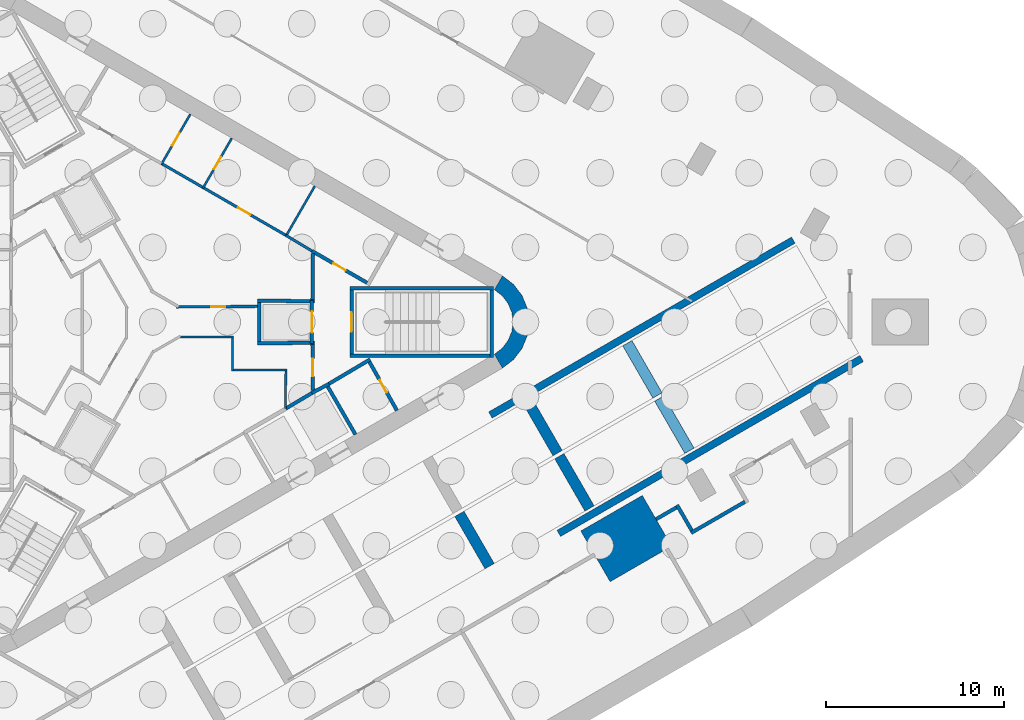
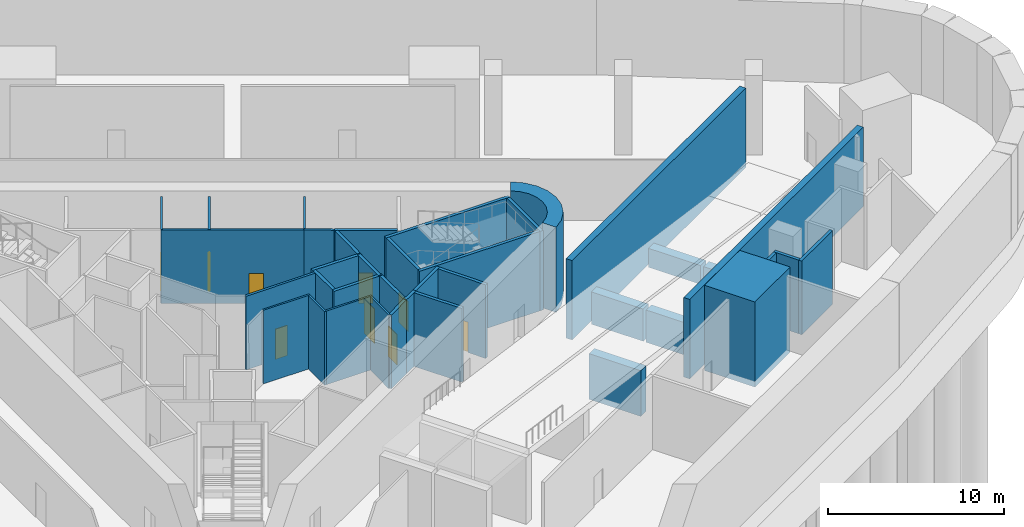
# One storey, part 7 of 13: 38 walls, 9 doors, 9 openings.
"""IFC4 building model written with IfcOpenShell, lengths in metres."""

from ifc_helpers import new_model, si_unit, direction, frame, frame_2d, origin, place, context, subcontext, project, spatial, polyline, rectangle, outline, extrude, material, layer, layer_set, type_object, element, fill, save


model = new_model("IFC4")

# Units and contexts
model_context = context("Model", 3, precision=1e-05, world=origin(), true_north=direction((0.0, 1.0)))
body_context = subcontext(model_context, "Body", "Model", "MODEL_VIEW")
ifc_project = project(units=[si_unit("LENGTHUNIT", "METRE"), si_unit("AREAUNIT", "SQUARE_METRE"), si_unit("VOLUMEUNIT", "CUBIC_METRE"), si_unit("PLANEANGLEUNIT", "RADIAN"), si_unit("MASSUNIT", "GRAM", prefix="KILO")], contexts=[model_context])

# Site, building, storey
site_placement = place(None, origin())
site = spatial("IfcSite", under=ifc_project, at=site_placement, CompositionType="ELEMENT")
building_placement = place(site_placement, origin())
building = spatial("IfcBuilding", under=site, at=building_placement, Name="Tanit Gate Tower", CompositionType="ELEMENT")
storey_placement = place(building_placement, frame((0.0, 0.0, -11.0)))
storey = spatial("IfcBuildingStorey", under=building, at=storey_placement, Name="B2", CompositionType="ELEMENT", Elevation=-11.0)

# Wall
ifc_material_1 = material(Name="Concrete C60/75", Category="concrete")
ifc_layer_1 = layer(ifc_material_1, 0.89990234375)
ifc_layer_set_1 = layer_set([ifc_layer_1], Name="CORE WALL 900 C60/75")
wall_type_1 = type_object("IfcWallType", Name="CORE WALL 900 C60/75", PredefinedType="SHEAR", material=ifc_layer_set_1)
wall_1_placement = place(storey_placement, frame((0.0, 0.0, -0.39990234375)))
element("IfcWall", 1, at=wall_1_placement, inside=storey, type_object=wall_type_1, Name="CORE WALL CORNER", PredefinedType="SHEAR", context=body_context, shape_type="SweptSolid", body=[
    extrude(outline(polyline([(19.699951171875, -2.59814453125), (20.3212890625, -2.121337890625), (20.798095703125, -1.5), (21.097900390625, -0.776611328125), (21.199951171875, 0.0), (21.097900390625, 0.776611328125), (20.798095703125, 1.5), (20.3212890625, 2.121337890625), (19.699951171875, 2.59814453125), (19.25, 1.818603515625), (19.684814453125, 1.48486328125), (20.018798828125, 1.050048828125), (20.228515625, 0.54345703125), (20.300048828125, 0.0), (20.228515625, -0.54345703125), (20.018798828125, -1.050048828125), (19.684814453125, -1.48486328125), (19.25, -1.818603515625), (19.699951171875, -2.59814453125)])), origin(), (0.0, 0.0, 1.0), 5.89990234375),
])

# Wall, opening, door
ifc_material_2 = material(Name="Fire-rated gypsum board partition")
ifc_layer_2 = layer(ifc_material_2, 0.199951171875)
ifc_layer_set_2 = layer_set([ifc_layer_2], Name="INT-WALL-COMPARTMENT")
wall_type_2 = type_object("IfcWallType", Name="INT-WALL-COMPARTMENT", PredefinedType="PARTITIONING", material=ifc_layer_set_2)
wall_2_placement = place(storey_placement, frame((8.97412109375, 3.998779296875, 0.0), z_axis=(0.0, 0.0, 1.0), x_axis=(0.86601284211, -0.500021756827, 0.0)))
wall_2 = element("IfcWall", 2, at=wall_2_placement, inside=storey, type_object=wall_type_2, Name="Wall Compartment W046", PredefinedType="PARTITIONING", context=body_context, shape_type="SweptSolid", body=[
    extrude(rectangle(XDim=3.577392578125, YDim=0.199951171875, at=frame_2d((1.78857421875, 0.0))), origin(), (0.0, 0.0, 1.0), 5.10009765625),
])
opening_1_placement = place(wall_2_placement, frame((1.388916015625, 0.0, 0.0)))
opening_1 = element("IfcOpeningElement", 3, at=opening_1_placement, cuts=wall_2, Name="Opening R08-B2-17", PredefinedType="OPENING", context=body_context, shape_type="SweptSolid", body=[
    extrude(rectangle(XDim=0.800048828125, YDim=2.10009765625, at=frame_2d((0.39990234375, 1.050048828125))), frame((0.0, 0.10986328125, 0.0), z_axis=(0.0, -1.0, 0.0), x_axis=(1.0, 0.0, 0.0)), (0.0, 0.0, 1.0), 0.219970703125),
])
ifc_material_3 = material(Name="Timber door leaf", Category="wood")
door_type_1 = type_object("IfcDoorType", Name="INT-DOOR-RISER-800", OperationType="NOTDEFINED", PredefinedType="USERDEFINED", material=ifc_material_3)
door_1_placement = place(opening_1_placement, origin())
door_1 = element("IfcDoor", 4, at=door_1_placement, inside=storey, type_object=door_type_1, Name="Door R08-B2-17", ObjectType="FIRE DOOR", OperationType="SINGLE_SWING_LEFT", OverallHeight=2.10009765625, OverallWidth=0.800048828125, PredefinedType="USERDEFINED", context=body_context, shape_type="SweptSolid", body=[
    extrude(rectangle(XDim=0.800048828125, YDim=2.10009765625, at=frame_2d((0.39990234375, 1.050048828125))), frame((0.0, 0.02490234375, 0.0), z_axis=(0.0, -1.0, 0.0), x_axis=(1.0, 0.0, 0.0)), (0.0, 0.0, 1.0), 0.050048828125),
])
fill(opening_1, door_1)

# Wall
wall_3_placement = place(storey_placement, frame((12.244873046875, -2.10888671875, 0.0), z_axis=(0.0, 0.0, 1.0), x_axis=(-0.860414880418, -0.509594185166, 0.0)))
element("IfcWall", 5, at=wall_3_placement, inside=storey, type_object=wall_type_2, Name="Wall Compartment W060", PredefinedType="PARTITIONING", context=body_context, shape_type="SweptSolid", body=[
    extrude(rectangle(XDim=2.7001953125, YDim=0.199951171875, at=frame_2d((1.35009765625, 0.0))), origin(), (0.0, 0.0, 1.0), 5.10009765625),
])

# Wall, opening, door
wall_4_placement = place(storey_placement, frame((13.758056640625, -4.989501953125, 0.0), z_axis=(0.0, 0.0, 1.0), x_axis=(-0.491993409184, 0.87059892334, 0.0)))
wall_4 = element("IfcWall", 6, at=wall_4_placement, inside=storey, type_object=wall_type_2, Name="Wall Compartment W061", PredefinedType="PARTITIONING", context=body_context, shape_type="SweptSolid", body=[
    extrude(rectangle(XDim=3.150146484375, YDim=0.199951171875, at=frame_2d((1.5751953125, 0.0))), origin(), (0.0, 0.0, 1.0), 5.10009765625),
])
opening_2_placement = place(wall_4_placement, frame((1.175048828125, 0.0, 0.0)))
opening_2 = element("IfcOpeningElement", 7, at=opening_2_placement, cuts=wall_4, Name="Opening R08-B2-22", PredefinedType="OPENING", context=body_context, shape_type="SweptSolid", body=[
    extrude(rectangle(XDim=0.800048828125, YDim=2.10009765625, at=frame_2d((0.39990234375, 1.050048828125))), frame((0.0, 0.10986328125, 0.0), z_axis=(0.0, -1.0, 0.0), x_axis=(1.0, 0.0, 0.0)), (0.0, 0.0, 1.0), 0.219970703125),
])
door_2_placement = place(opening_2_placement, origin())
door_2 = element("IfcDoor", 8, at=door_2_placement, inside=storey, type_object=door_type_1, Name="Door R08-B2-22", ObjectType="FIRE DOOR", OperationType="SINGLE_SWING_LEFT", OverallHeight=2.10009765625, OverallWidth=0.800048828125, PredefinedType="USERDEFINED", context=body_context, shape_type="SweptSolid", body=[
    extrude(rectangle(XDim=0.800048828125, YDim=2.10009765625, at=frame_2d((0.39990234375, 1.050048828125))), frame((0.0, 0.02490234375, 0.0), z_axis=(0.0, -1.0, 0.0), x_axis=(1.0, 0.0, 0.0)), (0.0, 0.0, 1.0), 0.050048828125),
])
fill(opening_2, door_2)

# Wall
wall_5_placement = place(storey_placement, frame((9.0009765625, 1.27001953125, 0.0), z_axis=(0.0, 0.0, 1.0), x_axis=(0.010780534828, 0.999941888346, 0.0)))
element("IfcWall", 9, at=wall_5_placement, inside=storey, type_object=wall_type_2, Name="Wall Compartment W062", PredefinedType="PARTITIONING", context=body_context, shape_type="SweptSolid", body=[
    extrude(rectangle(XDim=2.581787109375, YDim=0.199951171875, at=frame_2d((1.291015625, 0.0))), origin(), (0.0, 0.0, 1.0), 5.10009765625),
])

# Wall, opening, door
wall_6_placement = place(storey_placement, frame((9.02880859375, -3.850830078125, 0.0), z_axis=(0.0, 0.0, 1.0), x_axis=(-0.010783593937, 0.99994185536, 0.0)))
wall_6 = element("IfcWall", 10, at=wall_6_placement, inside=storey, type_object=wall_type_2, Name="Wall Compartment W063", PredefinedType="PARTITIONING", context=body_context, shape_type="SweptSolid", body=[
    extrude(rectangle(XDim=2.5810546875, YDim=0.199951171875, at=frame_2d((1.29052734375, 0.0))), origin(), (0.0, 0.0, 1.0), 5.10009765625),
])
opening_3_placement = place(wall_6_placement, frame((0.79052734375, 0.0, 0.0)))
opening_3 = element("IfcOpeningElement", 11, at=opening_3_placement, cuts=wall_6, Name="Opening F10-B2-02", PredefinedType="OPENING", context=body_context, shape_type="SweptSolid", body=[
    extrude(rectangle(XDim=1.0, YDim=2.10009765625, at=frame_2d((0.5, 1.050048828125))), frame((0.0, 0.10986328125, 0.0), z_axis=(0.0, -1.0, 0.0), x_axis=(1.0, 0.0, 0.0)), (0.0, 0.0, 1.0), 0.219970703125),
])
ifc_material_4 = material(Name="Fire-rated steel door leaf", Category="steel")
door_type_2 = type_object("IfcDoorType", Name="INT-DOOR-FIRE-1000", OperationType="NOTDEFINED", PredefinedType="USERDEFINED", material=ifc_material_4)
door_3_placement = place(opening_3_placement, origin())
door_3 = element("IfcDoor", 12, at=door_3_placement, inside=storey, type_object=door_type_2, Name="Door F10-B2-02", ObjectType="FIRE DOOR", OperationType="SINGLE_SWING_RIGHT", OverallHeight=2.10009765625, OverallWidth=1.0, PredefinedType="USERDEFINED", context=body_context, shape_type="SweptSolid", body=[
    extrude(rectangle(XDim=1.0, YDim=2.10009765625, at=frame_2d((0.5, 1.050048828125))), frame((0.0, 0.02490234375, 0.0), z_axis=(0.0, -1.0, 0.0), x_axis=(1.0, 0.0, 0.0)), (0.0, 0.0, 1.0), 0.050048828125),
])
fill(opening_3, door_3)

# Walls
wall_7_placement = place(storey_placement, frame((28.3544921875, -11.111328125, 0.0), z_axis=(0.0, 0.0, 1.0), x_axis=(0.866056658381, 0.499945861543, 0.0)))
element("IfcWall", 13, at=wall_7_placement, inside=storey, type_object=wall_type_2, Name="Wall Compartment W132", PredefinedType="PARTITIONING", context=body_context, shape_type="SweptSolid", body=[
    extrude(rectangle(XDim=1.324462890625, YDim=0.199951171875, at=frame_2d((0.662109375, 0.0))), origin(), (0.0, 0.0, 1.0), 5.10009765625),
])
wall_8_placement = place(storey_placement, frame((30.328125, -11.881103515625, 0.0), z_axis=(0.0, 0.0, 1.0), x_axis=(0.866019471182, 0.500010275428, 0.0)))
element("IfcWall", 14, at=wall_8_placement, inside=storey, type_object=wall_type_2, Name="Wall Compartment W130", PredefinedType="PARTITIONING", context=body_context, shape_type="SweptSolid", body=[
    extrude(rectangle(XDim=3.5, YDim=0.199951171875, at=frame_2d((1.75, 0.0))), origin(), (0.0, 0.0, 1.0), 5.10009765625),
])
wall_9_placement = place(storey_placement, frame((30.36474609375, -11.74462890625, 0.0), z_axis=(0.0, 0.0, 1.0), x_axis=(-0.499918423778, 0.866072496716, 0.0)))
element("IfcWall", 15, at=wall_9_placement, inside=storey, type_object=wall_type_2, Name="Wall Compartment W131", PredefinedType="PARTITIONING", context=body_context, shape_type="SweptSolid", body=[
    extrude(rectangle(XDim=1.653564453125, YDim=0.199951171875, at=frame_2d((0.82666015625, 0.0))), origin(), (0.0, 0.0, 1.0), 5.10009765625),
])
ifc_material_5 = material(Name="Gypsum board partition")
ifc_layer_3 = layer(ifc_material_5, 0.1201171875)
ifc_layer_set_3 = layer_set([ifc_layer_3], Name="INT-WALL-PARTITION")
wall_type_3 = type_object("IfcWallType", Name="INT-WALL-PARTITION", PredefinedType="PARTITIONING", material=ifc_layer_set_3)
wall_10_placement = place(storey_placement, frame((9.13330078125, 7.659423828125, 0.0), z_axis=(0.0, 0.0, 1.0), x_axis=(-0.500017246033, -0.866015446554, 0.0)))
element("IfcWall", 16, at=wall_10_placement, inside=storey, type_object=wall_type_3, Name="Wall Partition W044", PredefinedType="PARTITIONING", context=body_context, shape_type="SweptSolid", body=[
    extrude(rectangle(XDim=3.25, YDim=0.1201171875, at=frame_2d((1.625, 0.0))), origin(), (0.0, 0.0, 1.0), 5.10009765625),
])

# Wall, opening, door
wall_11_placement = place(storey_placement, frame((4.456787109375, 10.359375, 0.0), z_axis=(0.0, 0.0, 1.0), x_axis=(-0.500017246033, -0.866015446554, 0.0)))
wall_11 = element("IfcWall", 17, at=wall_11_placement, inside=storey, type_object=wall_type_3, Name="Wall Partition W048", PredefinedType="PARTITIONING", context=body_context, shape_type="SweptSolid", body=[
    extrude(rectangle(XDim=3.25, YDim=0.1201171875, at=frame_2d((1.625, 0.0))), origin(), (0.0, 0.0, 1.0), 5.10009765625),
])
opening_4_placement = place(wall_11_placement, frame((1.22509765625, 0.0, 0.0)))
opening_4 = element("IfcOpeningElement", 18, at=opening_4_placement, cuts=wall_11, Name="Opening R08-B2-18", PredefinedType="OPENING", context=body_context, shape_type="SweptSolid", body=[
    extrude(rectangle(XDim=0.800048828125, YDim=2.10009765625, at=frame_2d((0.39990234375, 1.050048828125))), frame((0.0, 0.070068359375, 0.0), z_axis=(0.0, -1.0, 0.0), x_axis=(1.0, 0.0, 0.0)), (0.0, 0.0, 1.0), 0.14013671875),
])
door_4_placement = place(opening_4_placement, origin())
door_4 = element("IfcDoor", 19, at=door_4_placement, inside=storey, type_object=door_type_1, Name="Door R08-B2-18", ObjectType="FIRE DOOR", OperationType="SINGLE_SWING_LEFT", OverallHeight=2.10009765625, OverallWidth=0.800048828125, PredefinedType="USERDEFINED", context=body_context, shape_type="SweptSolid", body=[
    extrude(rectangle(XDim=0.800048828125, YDim=2.10009765625, at=frame_2d((0.39990234375, 1.050048828125))), frame((0.0, 0.02490234375, 0.0), z_axis=(0.0, -1.0, 0.0), x_axis=(1.0, 0.0, 0.0)), (0.0, 0.0, 1.0), 0.050048828125),
])
fill(opening_4, door_4)

wall_12_placement = place(storey_placement, frame((0.49365234375, 8.89501953125, 0.0), z_axis=(0.0, 0.0, 1.0), x_axis=(0.500017246033, 0.866015446554, 0.0)))
wall_12 = element("IfcWall", 20, at=wall_12_placement, inside=storey, type_object=wall_type_3, Name="Wall Partition W050", PredefinedType="PARTITIONING", context=body_context, shape_type="SweptSolid", body=[
    extrude(rectangle(XDim=3.25, YDim=0.1201171875, at=frame_2d((1.625, 0.0))), origin(), (0.0, 0.0, 1.0), 5.10009765625),
])
opening_5_placement = place(wall_12_placement, frame((1.22509765625, 0.0, 0.0)))
opening_5 = element("IfcOpeningElement", 21, at=opening_5_placement, cuts=wall_12, Name="Opening R08-B2-25", PredefinedType="OPENING", context=body_context, shape_type="SweptSolid", body=[
    extrude(rectangle(XDim=0.800048828125, YDim=2.10009765625, at=frame_2d((0.39990234375, 1.050048828125))), frame((0.0, 0.070068359375, 0.0), z_axis=(0.0, -1.0, 0.0), x_axis=(1.0, 0.0, 0.0)), (0.0, 0.0, 1.0), 0.14013671875),
])
door_5_placement = place(opening_5_placement, origin())
door_5 = element("IfcDoor", 22, at=door_5_placement, inside=storey, type_object=door_type_1, Name="Door R08-B2-25", ObjectType="FIRE DOOR", OperationType="SINGLE_SWING_RIGHT", OverallHeight=2.10009765625, OverallWidth=0.800048828125, PredefinedType="USERDEFINED", context=body_context, shape_type="SweptSolid", body=[
    extrude(rectangle(XDim=0.800048828125, YDim=2.10009765625, at=frame_2d((0.39990234375, 1.050048828125))), frame((0.0, 0.02490234375, 0.0), z_axis=(0.0, -1.0, 0.0), x_axis=(1.0, 0.0, 0.0)), (0.0, 0.0, 1.0), 0.050048828125),
])
fill(opening_5, door_5)

# Walls
wall_13_placement = place(storey_placement, frame((4.56005859375, -0.85009765625, 0.0), z_axis=(0.0, 0.0, 1.0), x_axis=(-1.0, 0.0, 0.0)))
element("IfcWall", 23, at=wall_13_placement, inside=storey, type_object=wall_type_3, Name="Wall Partition W073", PredefinedType="PARTITIONING", context=body_context, shape_type="SweptSolid", body=[
    extrude(rectangle(XDim=3.0693359375, YDim=0.1201171875, at=frame_2d((1.53466796875, 0.0))), origin(), (0.0, 0.0, 1.0), 5.10009765625),
])
wall_14_placement = place(storey_placement, frame((4.5, -2.760009765625, 0.0), z_axis=(0.0, 0.0, 1.0), x_axis=(0.0, 1.0, 0.0)))
element("IfcWall", 24, at=wall_14_placement, inside=storey, type_object=wall_type_3, Name="Wall Partition W074", PredefinedType="PARTITIONING", context=body_context, shape_type="SweptSolid", body=[
    extrude(rectangle(XDim=1.85009765625, YDim=0.1201171875, at=frame_2d((0.925048828125, 0.0))), origin(), (0.0, 0.0, 1.0), 5.10009765625),
])
wall_15_placement = place(storey_placement, frame((7.56005859375, -2.699951171875, 0.0), z_axis=(0.0, 0.0, 1.0), x_axis=(-1.0, 0.0, 0.0)))
element("IfcWall", 25, at=wall_15_placement, inside=storey, type_object=wall_type_3, Name="Wall Partition W075", PredefinedType="PARTITIONING", context=body_context, shape_type="SweptSolid", body=[
    extrude(rectangle(XDim=3.0, YDim=0.1201171875, at=frame_2d((1.5, 0.0))), origin(), (0.0, 0.0, 1.0), 5.10009765625),
])
wall_16_placement = place(storey_placement, frame((7.474609375, -4.864501953125, 0.0), z_axis=(0.0, 0.0, 1.0), x_axis=(0.011716133148, 0.999931363757, 0.0)))
element("IfcWall", 26, at=wall_16_placement, inside=storey, type_object=wall_type_3, Name="Wall Partition W076", PredefinedType="PARTITIONING", context=body_context, shape_type="SweptSolid", body=[
    extrude(rectangle(XDim=2.104736328125, YDim=0.1201171875, at=frame_2d((1.05224609375, 0.0))), origin(), (0.0, 0.0, 1.0), 5.10009765625),
])
ifc_material_6 = material(Name="Fire-rated gypsum board partition")
ifc_layer_4 = layer(ifc_material_6, 0.14990234375)
ifc_layer_set_4 = layer_set([ifc_layer_4], Name="INT-WALL-RISER")
wall_type_4 = type_object("IfcWallType", Name="INT-WALL-RISER", PredefinedType="PLUMBINGWALL", material=ifc_layer_set_4)
wall_17_placement = place(storey_placement, frame((8.974609375, 3.999755859375, 0.0), z_axis=(0.0, 0.0, 1.0), x_axis=(-0.857530436795, 0.514433231791, 0.0)))
element("IfcWall", 27, at=wall_17_placement, inside=storey, type_object=wall_type_4, Name="Wall Riser W047", PredefinedType="PLUMBINGWALL", context=body_context, shape_type="SweptSolid", body=[
    extrude(rectangle(XDim=1.72265625, YDim=0.14990234375, at=frame_2d((0.861328125, 0.0))), origin(), (0.0, 0.0, 1.0), 5.10009765625),
])

# Wall, opening, door
wall_18_placement = place(storey_placement, frame((7.497314453125, 4.885986328125, 0.0), z_axis=(0.0, 0.0, 1.0), x_axis=(-0.866030989016, 0.499990325971, 0.0)))
wall_18 = element("IfcWall", 28, at=wall_18_placement, inside=storey, type_object=wall_type_4, Name="Wall Riser W049", PredefinedType="PLUMBINGWALL", context=body_context, shape_type="SweptSolid", body=[
    extrude(rectangle(XDim=8.099853515625, YDim=0.14990234375, at=frame_2d((4.0498046875, 0.0))), origin(), (0.0, 0.0, 1.0), 5.10009765625),
])
opening_6_placement = place(wall_18_placement, frame((2.300048828125, 0.0, 0.0)))
opening_6 = element("IfcOpeningElement", 29, at=opening_6_placement, cuts=wall_18, Name="Opening R08-B2-24", PredefinedType="OPENING", context=body_context, shape_type="SweptSolid", body=[
    extrude(rectangle(XDim=0.800048828125, YDim=2.10009765625, at=frame_2d((0.39990234375, 1.050048828125))), frame((0.0, 0.0849609375, 0.0), z_axis=(0.0, -1.0, 0.0), x_axis=(1.0, 0.0, 0.0)), (0.0, 0.0, 1.0), 0.169921875),
])
door_6_placement = place(opening_6_placement, origin())
door_6 = element("IfcDoor", 30, at=door_6_placement, inside=storey, type_object=door_type_1, Name="Door R08-B2-24", ObjectType="FIRE DOOR", OperationType="SINGLE_SWING_LEFT", OverallHeight=2.10009765625, OverallWidth=0.800048828125, PredefinedType="USERDEFINED", context=body_context, shape_type="SweptSolid", body=[
    extrude(rectangle(XDim=0.800048828125, YDim=2.10009765625, at=frame_2d((0.39990234375, 1.050048828125))), frame((0.0, 0.02490234375, 0.0), z_axis=(0.0, -1.0, 0.0), x_axis=(1.0, 0.0, 0.0)), (0.0, 0.0, 1.0), 0.050048828125),
])
fill(opening_6, door_6)

wall_19_placement = place(storey_placement, frame((1.34423828125, 0.84912109375, 0.0), z_axis=(0.0, 0.0, 1.0), x_axis=(0.999978627641, 0.00653790957, 0.0)))
wall_19 = element("IfcWall", 31, at=wall_19_placement, inside=storey, type_object=wall_type_4, Name="Wall Riser W068", PredefinedType="PLUMBINGWALL", context=body_context, shape_type="SweptSolid", body=[
    extrude(rectangle(XDim=4.5556640625, YDim=0.14990234375, at=frame_2d((2.27783203125, 0.0))), origin(), (0.0, 0.0, 1.0), 5.10009765625),
])
opening_7_placement = place(wall_19_placement, frame((1.94189453125, 0.0, 0.0)))
opening_7 = element("IfcOpeningElement", 32, at=opening_7_placement, cuts=wall_19, Name="Opening R08-B2-10", PredefinedType="OPENING", context=body_context, shape_type="SweptSolid", body=[
    extrude(rectangle(XDim=0.800048828125, YDim=2.10009765625, at=frame_2d((0.39990234375, 1.050048828125))), frame((0.0, 0.0849609375, 0.0), z_axis=(0.0, -1.0, 0.0), x_axis=(1.0, 0.0, 0.0)), (0.0, 0.0, 1.0), 0.169921875),
])
door_7_placement = place(opening_7_placement, origin())
door_7 = element("IfcDoor", 33, at=door_7_placement, inside=storey, type_object=door_type_1, Name="Door R08-B2-10", ObjectType="FIRE DOOR", OperationType="SINGLE_SWING_RIGHT", OverallHeight=2.10009765625, OverallWidth=0.800048828125, PredefinedType="USERDEFINED", context=body_context, shape_type="SweptSolid", body=[
    extrude(rectangle(XDim=0.800048828125, YDim=2.10009765625, at=frame_2d((0.39990234375, 1.050048828125))), frame((0.0, 0.02490234375, 0.0), z_axis=(0.0, -1.0, 0.0), x_axis=(1.0, 0.0, 0.0)), (0.0, 0.0, 1.0), 0.050048828125),
])
fill(opening_7, door_7)

# Walls
ifc_material_7 = material(Name="Gypsum shaft wall system")
ifc_layer_5 = layer(ifc_material_7, 0.199951171875)
ifc_layer_set_5 = layer_set([ifc_layer_5], Name="INT-WALL-SHAFT")
wall_type_5 = type_object("IfcWallType", Name="INT-WALL-SHAFT", PredefinedType="PLUMBINGWALL", material=ifc_layer_set_5)
wall_20_placement = place(storey_placement, frame((9.794677734375, -3.52490234375, 0.0), z_axis=(0.0, 0.0, 1.0), x_axis=(0.499984717929, -0.866034226713, 0.0)))
element("IfcWall", 34, at=wall_20_placement, inside=storey, type_object=wall_type_5, Name="Wall Shaft W003", PredefinedType="PLUMBINGWALL", context=body_context, shape_type="SweptSolid", body=[
    extrude(rectangle(XDim=3.25, YDim=0.199951171875, at=frame_2d((1.625, 0.0))), origin(), (0.0, 0.0, 1.0), 5.10009765625),
])
wall_21_placement = place(storey_placement, frame((8.97412109375, -3.998779296875, 0.0), z_axis=(0.0, 0.0, 1.0), x_axis=(0.880907015104, 0.473289373154, 0.0)))
element("IfcWall", 35, at=wall_21_placement, inside=storey, type_object=wall_type_5, Name="Wall Shaft W004", PredefinedType="PLUMBINGWALL", context=body_context, shape_type="SweptSolid", body=[
    extrude(rectangle(XDim=1.078125, YDim=0.199951171875, at=frame_2d((0.5390625, 0.0))), origin(), (0.0, 0.0, 1.0), 5.10009765625),
])
wall_22_placement = place(storey_placement, frame((7.4931640625, -4.87841796875, 0.0), z_axis=(0.0, 0.0, 1.0), x_axis=(0.859981807212, 0.510324691999, 0.0)))
element("IfcWall", 36, at=wall_22_placement, inside=storey, type_object=wall_type_5, Name="Wall Shaft W005", PredefinedType="PLUMBINGWALL", context=body_context, shape_type="SweptSolid", body=[
    extrude(rectangle(XDim=1.8447265625, YDim=0.199951171875, at=frame_2d((0.92236328125, 0.0))), origin(), (0.0, 0.0, 1.0), 5.10009765625),
])

# Wall, opening, door
wall_23_placement = place(storey_placement, frame((8.969970703125, 1.199951171875, 0.0), z_axis=(0.0, 0.0, 1.0), x_axis=(0.0, -1.0, 0.0)))
wall_23 = element("IfcWall", 37, at=wall_23_placement, inside=storey, type_object=wall_type_5, Name="Wall Shaft W010", PredefinedType="PLUMBINGWALL", context=body_context, shape_type="SweptSolid", body=[
    extrude(rectangle(XDim=2.39990234375, YDim=0.199951171875, at=frame_2d((1.199951171875, 0.0))), origin(), (0.0, 0.0, 1.0), 5.10009765625),
])
opening_8_placement = place(wall_23_placement, frame((0.60009765625, 0.0, 0.0)))
opening_8 = element("IfcOpeningElement", 38, at=opening_8_placement, cuts=wall_23, Name="Opening LDFL1-B2", PredefinedType="OPENING", context=body_context, shape_type="SweptSolid", body=[
    extrude(rectangle(XDim=1.199951171875, YDim=2.39990234375, at=frame_2d((0.60009765625, 1.199951171875))), frame((0.0, 0.10986328125, 0.0), z_axis=(0.0, -1.0, 0.0), x_axis=(1.0, 0.0, 0.0)), (0.0, 0.0, 1.0), 0.219970703125),
])
ifc_material_8 = material(Name="Stainless steel sliding door leaf", Category="steel")
door_type_3 = type_object("IfcDoorType", Name="INT-DOOR-LANDING-1200", OperationType="NOTDEFINED", PredefinedType="USERDEFINED", material=ifc_material_8)
door_8_placement = place(opening_8_placement, origin())
door_8 = element("IfcDoor", 39, at=door_8_placement, inside=storey, type_object=door_type_3, Name="Door LDFL1-B2", ObjectType="LANDING DOOR", OperationType="SLIDING_TO_LEFT", OverallHeight=2.39990234375, OverallWidth=1.199951171875, PredefinedType="USERDEFINED", context=body_context, shape_type="SweptSolid", body=[
    extrude(rectangle(XDim=1.199951171875, YDim=2.39990234375, at=frame_2d((0.60009765625, 1.199951171875))), frame((0.0, 0.02490234375, 0.0), z_axis=(0.0, -1.0, 0.0), x_axis=(1.0, 0.0, 0.0)), (0.0, 0.0, 1.0), 0.050048828125),
])
fill(opening_8, door_8)

# Walls
wall_24_placement = place(storey_placement, frame((6.0, -1.10009765625, 0.0), z_axis=(0.0, 0.0, 1.0), x_axis=(0.0, 1.0, 0.0)))
element("IfcWall", 40, at=wall_24_placement, inside=storey, type_object=wall_type_5, Name="Wall Shaft W014", PredefinedType="PLUMBINGWALL", context=body_context, shape_type="SweptSolid", body=[
    extrude(rectangle(XDim=2.2001953125, YDim=0.199951171875, at=frame_2d((1.10009765625, 0.0))), origin(), (0.0, 0.0, 1.0), 5.10009765625),
])
for number, where, z_axis, x_axis, name in (
    (41, (5.89990234375, 1.200927734375, 0.0), (0.0, 0.0, 1.0), (0.999950064753, -0.009993397809, 0.0), "Wall Shaft W012"),
    (42, (5.89990234375, -1.200927734375, 0.0), (0.0, 0.0, 1.0), (0.999950064753, 0.009993397809, 0.0), "Wall Shaft W013"),
):
    element("IfcWall", number, at=place(storey_placement, frame(where, z_axis=z_axis, x_axis=x_axis)), inside=storey, type_object=wall_type_5, Name=name, PredefinedType="PLUMBINGWALL", context=body_context, shape_type="SweptSolid", body=[
        extrude(rectangle(XDim=3.200439453125, YDim=0.199951171875, at=frame_2d((1.60009765625, 0.0))), origin(), (0.0, 0.0, 1.0), 5.10009765625),
    ])
ifc_material_9 = material(Name="Concrete C40/50", Category="concrete")
ifc_layer_6 = layer(ifc_material_9, 0.199951171875)
ifc_layer_set_6 = layer_set([ifc_layer_6], Name="INT-WALL-STAIR")
wall_type_6 = type_object("IfcWallType", Name="INT-WALL-STAIR", PredefinedType="SHEAR", material=ifc_layer_set_6)
wall_25_placement = place(storey_placement, frame((19.199951171875, 1.89990234375, -0.39990234375), z_axis=(0.0, 0.0, 1.0), x_axis=(-1.0, 0.0, 0.0)))
element("IfcWall", 43, at=wall_25_placement, inside=storey, type_object=wall_type_6, Name="Wall Stair W006", PredefinedType="SHEAR", context=body_context, shape_type="SweptSolid", body=[
    extrude(rectangle(XDim=8.099853515625, YDim=0.199951171875, at=frame_2d((4.0498046875, 0.0))), origin(), (0.0, 0.0, 1.0), 5.5),
])
wall_26_placement = place(storey_placement, frame((19.10009765625, -2.0, -0.39990234375), z_axis=(0.0, 0.0, 1.0), x_axis=(0.0, 1.0, 0.0)))
element("IfcWall", 44, at=wall_26_placement, inside=storey, type_object=wall_type_6, Name="Wall Stair W007", PredefinedType="SHEAR", context=body_context, shape_type="SweptSolid", body=[
    extrude(rectangle(XDim=3.800048828125, YDim=0.199951171875, at=frame_2d((1.89990234375, 0.0))), origin(), (0.0, 0.0, 1.0), 5.5),
])
wall_27_placement = place(storey_placement, frame((11.10009765625, -1.89990234375, -0.39990234375), z_axis=(0.0, 0.0, 1.0), x_axis=(1.0, 0.0, 0.0)))
element("IfcWall", 45, at=wall_27_placement, inside=storey, type_object=wall_type_6, Name="Wall Stair W008", PredefinedType="SHEAR", context=body_context, shape_type="SweptSolid", body=[
    extrude(rectangle(XDim=7.89990234375, YDim=0.199951171875, at=frame_2d((3.949951171875, 0.0))), origin(), (0.0, 0.0, 1.0), 5.5),
])

# Wall, opening, door
wall_28_placement = place(storey_placement, frame((11.199951171875, -1.800048828125, -0.39990234375), z_axis=(0.0, 0.0, 1.0), x_axis=(0.0, 1.0, 0.0)))
wall_28 = element("IfcWall", 46, at=wall_28_placement, inside=storey, type_object=wall_type_6, Name="Wall Stair W009", PredefinedType="SHEAR", context=body_context, shape_type="SweptSolid", body=[
    extrude(rectangle(XDim=3.60009765625, YDim=0.199951171875, at=frame_2d((1.800048828125, 0.0))), origin(), (0.0, 0.0, 1.0), 5.5),
])
opening_9_placement = place(wall_28_placement, frame((1.25, 0.0, 0.39990234375)))
opening_9 = element("IfcOpeningElement", 47, at=opening_9_placement, cuts=wall_28, Name="Opening S11-B2-01", PredefinedType="OPENING", context=body_context, shape_type="SweptSolid", body=[
    extrude(rectangle(XDim=1.10009765625, YDim=2.10009765625, at=frame_2d((0.550048828125, 1.050048828125))), frame((0.0, 0.10986328125, 0.0), z_axis=(0.0, -1.0, 0.0), x_axis=(1.0, 0.0, 0.0)), (0.0, 0.0, 1.0), 0.219970703125),
])
ifc_material_10 = material(Name="Timber door leaf", Category="wood")
door_type_4 = type_object("IfcDoorType", Name="INT-DOOR-STAIR-1100", OperationType="NOTDEFINED", PredefinedType="USERDEFINED", material=ifc_material_10)
door_9_placement = place(opening_9_placement, origin())
door_9 = element("IfcDoor", 48, at=door_9_placement, inside=storey, type_object=door_type_4, Name="Door S11-B2-01", ObjectType="FIRE DOOR", OperationType="SINGLE_SWING_LEFT", OverallHeight=2.10009765625, OverallWidth=1.10009765625, PredefinedType="USERDEFINED", context=body_context, shape_type="SweptSolid", body=[
    extrude(rectangle(XDim=1.10009765625, YDim=2.10009765625, at=frame_2d((0.550048828125, 1.050048828125))), frame((0.0, 0.02490234375, 0.0), z_axis=(0.0, -1.0, 0.0), x_axis=(1.0, 0.0, 0.0)), (0.0, 0.0, 1.0), 0.050048828125),
])
fill(opening_9, door_9)

# Walls
ifc_material_11 = material(Name="Concrete C60/75", Category="concrete")
ifc_layer_7 = layer(ifc_material_11, 4.0)
ifc_layer_set_7 = layer_set([ifc_layer_7], Name="PIER WALL 4000 C60/75")
wall_type_7 = type_object("IfcWallType", Name="PIER WALL 4000 C60/75", PredefinedType="SHEAR", material=ifc_layer_set_7)
wall_29_placement = place(storey_placement, frame((0.0, 0.0, -0.39990234375)))
element("IfcWall", 49, at=wall_29_placement, inside=storey, type_object=wall_type_7, Name="PIER WALL", PredefinedType="SHEAR", context=body_context, shape_type="SweptSolid", body=[
    extrude(outline(polyline([(25.76708984375, -14.6298828125), (29.231201171875, -12.6298828125), (27.581298828125, -9.77197265625), (24.1171875, -11.77197265625), (25.76708984375, -14.6298828125)])), origin(), (0.0, 0.0, 1.0), 5.89990234375),
])
ifc_material_12 = material(Name="Concrete C40/50", Category="concrete")
ifc_layer_8 = layer(ifc_material_12, 0.39990234375)
ifc_layer_set_8 = layer_set([ifc_layer_8], Name="RAMP CHANNEL WALL 400 C40/50")
wall_type_8 = type_object("IfcWallType", Name="RAMP CHANNEL WALL 400 C40/50", PredefinedType="SHEAR", material=ifc_layer_set_8)
wall_30_placement = place(storey_placement, frame((22.87451171875, -11.908203125, -0.39990234375), z_axis=(0.0, 0.0, 1.0), x_axis=(0.866022361258, 0.500005269773, 0.0)))
element("IfcWall", 50, at=wall_30_placement, inside=storey, type_object=wall_type_8, Name="RAMP CHANNEL WALL", PredefinedType="SHEAR", context=body_context, shape_type="SweptSolid", body=[
    extrude(rectangle(XDim=19.702392578125, YDim=0.39990234375, at=frame_2d((9.85107421875, 0.0))), origin(), (0.0, 0.0, 1.0), 5.5),
])
wall_31_placement = place(storey_placement, frame((36.087158203125, 4.611328125, -0.39990234375), z_axis=(0.0, 0.0, 1.0), x_axis=(-0.866024629043, -0.500001341888, 0.0)))
element("IfcWall", 51, at=wall_31_placement, inside=storey, type_object=wall_type_8, Name="RAMP CHANNEL WALL", PredefinedType="SHEAR", context=body_context, shape_type="SweptSolid", body=[
    extrude(rectangle(XDim=19.7021484375, YDim=0.39990234375, at=frame_2d((9.85107421875, 0.0))), origin(), (0.0, 0.0, 1.0), 5.5),
])
ifc_material_13 = material(Name="Concrete C40/50", Category="concrete")
ifc_layer_9 = layer(ifc_material_13, 0.60009765625)
ifc_layer_set_9 = layer_set([ifc_layer_9], Name="RAMP SUPPORT WALL 600 C40/50")
wall_type_9 = type_object("IfcWallType", Name="RAMP SUPPORT WALL 600 C40/50", PredefinedType="STANDARD", material=ifc_layer_set_9)
wall_32_placement = place(storey_placement, frame((26.73583984375, -1.191650390625, -0.39990234375), z_axis=(0.0, 0.0, 1.0), x_axis=(0.499977295307, -0.866038511948, 0.0)))
element("IfcWall", 52, at=wall_32_placement, inside=storey, type_object=wall_type_9, Name="RAMP SUPPORT WALL", PredefinedType="STANDARD", context=body_context, shape_type="SweptSolid", body=[
    extrude(rectangle(XDim=3.400146484375, YDim=0.60009765625, at=frame_2d((1.7001953125, 0.0))), origin(), (0.0, 0.0, 1.0), 1.30712890625),
])
wall_33_placement = place(storey_placement, frame((21.106689453125, -4.441650390625, -0.39990234375), z_axis=(0.0, 0.0, 1.0), x_axis=(0.500031147688, -0.866007419912, 0.0)))
element("IfcWall", 53, at=wall_33_placement, inside=storey, type_object=wall_type_9, Name="RAMP SUPPORT WALL", PredefinedType="STANDARD", context=body_context, shape_type="SweptSolid", body=[
    extrude(rectangle(XDim=3.400146484375, YDim=0.60009765625, at=frame_2d((1.7001953125, 0.0))), origin(), (0.0, 0.0, 1.0), 2.235595703125),
])
wall_34_placement = place(storey_placement, frame((28.535888671875, -4.309326171875, -0.39990234375), z_axis=(0.0, 0.0, 1.0), x_axis=(0.499977295307, -0.866038511948, 0.0)))
element("IfcWall", 54, at=wall_34_placement, inside=storey, type_object=wall_type_9, Name="RAMP SUPPORT WALL", PredefinedType="STANDARD", context=body_context, shape_type="SweptSolid", body=[
    extrude(rectangle(XDim=3.400146484375, YDim=0.60009765625, at=frame_2d((1.7001953125, 0.0))), origin(), (0.0, 0.0, 1.0), 1.30712890625),
])
wall_35_placement = place(storey_placement, frame((22.90673828125, -7.559326171875, -0.39990234375), z_axis=(0.0, 0.0, 1.0), x_axis=(0.499977295307, -0.866038511948, 0.0)))
element("IfcWall", 55, at=wall_35_placement, inside=storey, type_object=wall_type_9, Name="RAMP SUPPORT WALL", PredefinedType="STANDARD", context=body_context, shape_type="SweptSolid", body=[
    extrude(rectangle(XDim=3.400146484375, YDim=0.60009765625, at=frame_2d((1.7001953125, 0.0))), origin(), (0.0, 0.0, 1.0), 2.235595703125),
])
wall_36_placement = place(storey_placement, frame((17.277587890625, -10.809326171875, -0.39990234375), z_axis=(0.0, 0.0, 1.0), x_axis=(0.499977295307, -0.866038511948, 0.0)))
element("IfcWall", 56, at=wall_36_placement, inside=storey, type_object=wall_type_9, Name="RAMP SUPPORT WALL", PredefinedType="STANDARD", context=body_context, shape_type="SweptSolid", body=[
    extrude(rectangle(XDim=3.400146484375, YDim=0.60009765625, at=frame_2d((1.7001953125, 0.0))), origin(), (0.0, 0.0, 1.0), 3.1640625),
])

save(model, "model.ifc")
